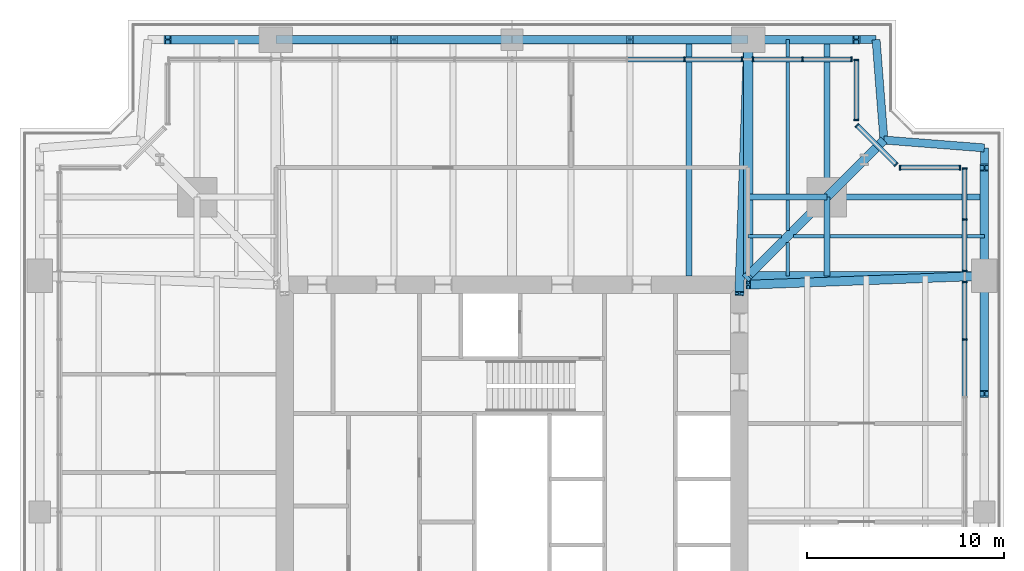
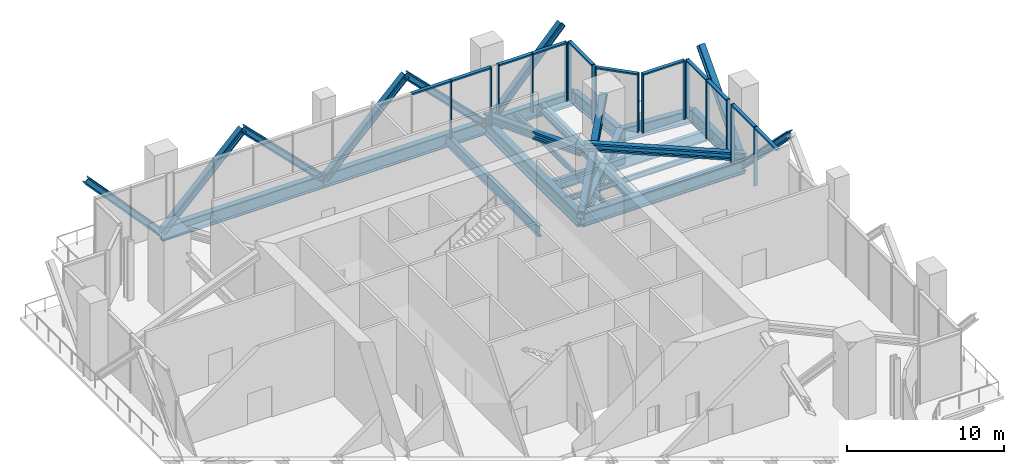
# One storey, part 8 of 14: 38 members, 21 beams, 7 elements without a shape of their own.
"""IFC4 building model written with IfcOpenShell, lengths in metres."""

from ifc_helpers import new_model, si_unit, direction, frame, origin, origin_2d, place, context, subcontext, project, spatial, rectangle, i_section, extrude, material, material_profile, profile_set, type_object, element, aggregate, save


model = new_model("IFC4")

# Units and contexts
model_context = context("Model", 3, precision=1e-05, world=origin(), true_north=direction((0.0, 1.0)))
body_context = subcontext(model_context, "Body", "Model", "MODEL_VIEW")
ifc_project = project(units=[si_unit("LENGTHUNIT", "METRE"), si_unit("AREAUNIT", "SQUARE_METRE"), si_unit("VOLUMEUNIT", "CUBIC_METRE"), si_unit("PLANEANGLEUNIT", "RADIAN"), si_unit("MASSUNIT", "GRAM", prefix="KILO")], contexts=[model_context])

# Site, building, storey
site_placement = place(None, origin())
site = spatial("IfcSite", under=ifc_project, at=site_placement, CompositionType="ELEMENT")
building_placement = place(site_placement, origin())
building = spatial("IfcBuilding", under=site, at=building_placement, Name="Fenwick Lantern Interchange", CompositionType="ELEMENT")
storey_placement = place(building_placement, frame((0.0, 0.0, 233.800048828125)))
storey = spatial("IfcBuildingStorey", under=building, at=storey_placement, Name="L55", CompositionType="ELEMENT", Elevation=233.800048828125)

# Members
ifc_material_1 = material(Name="Steel ASTM A992 Grade 50", Category="steel")
ifc_material_profile_1 = material_profile(ifc_material_1, i_section(OverallWidth=0.431884765625, OverallDepth=0.497802734375, WebThickness=0.0556640625, FlangeThickness=0.0888671875, at=origin_2d()), Name="W14X500")
ifc_profile_set_1 = profile_set([ifc_material_profile_1], Name="Steel ASTM A992 Grade 50")
member_type_1 = type_object("IfcMemberType", Name="BELT TRUSS DIAGONAL W14X500", PredefinedType="BRACE", material=ifc_profile_set_1)
member_1_placement = place(storey_placement, frame((49.0, 37.0, -0.650146484375), z_axis=(0.0, -0.707106781187, 0.707106781187), x_axis=(1.0, 0.0, 0.0)))
element("IfcMember", 1, at=member_1_placement, inside=storey, type_object=member_type_1, Name="L55/BT/E/D5", PredefinedType="BRACE", context=body_context, shape_type="SweptSolid", body=[
    extrude(i_section(OverallWidth=0.431884765625, OverallDepth=0.497802734375, WebThickness=0.0556640625, FlangeThickness=0.0888671875, at=origin_2d()), origin(), (0.0, 0.0, 1.0), 8.4853515625),
])
for number, where, z_axis, x_axis, name in (
    (2, (49.0, 37.0, -0.650146484375), (0.0, 0.675724628517, 0.737154140201), (-1.0, 0.0, 0.0), "L55/BT/E/D6"),
    (3, (37.0, 49.0, -0.650146484375), (0.675724628517, 0.0, 0.737154140201), (0.0, 1.0, 0.0), "L55/BT/N/D1"),
):
    element("IfcMember", number, at=place(storey_placement, frame(where, z_axis=z_axis, x_axis=x_axis)), inside=storey, type_object=member_type_1, Name=name, PredefinedType="BRACE", context=body_context, shape_type="SweptSolid", body=[
        extrude(i_section(OverallWidth=0.431884765625, OverallDepth=0.497802734375, WebThickness=0.0556640625, FlangeThickness=0.0888671875, at=origin_2d()), origin(), (0.0, 0.0, 1.0), 8.139404296875),
    ])
for number, where, z_axis, x_axis, name in (
    (4, (37.0, 49.0, -0.650146484375), (-0.707106781187, 0.0, 0.707106781187), (0.0, -1.0, 0.0), "L55/BT/N/D2"),
    (5, (25.0, 49.0, -0.650146484375), (0.707106781187, 0.0, 0.707106781187), (0.0, 1.0, 0.0), "L55/BT/N/D3"),
    (6, (25.0, 49.0, -0.650146484375), (-0.707106781187, 0.0, 0.707106781187), (0.0, -1.0, 0.0), "L55/BT/N/D4"),
    (7, (13.0, 49.0, -0.650146484375), (0.707106781187, 0.0, 0.707106781187), (0.0, 1.0, 0.0), "L55/BT/N/D5"),
):
    element("IfcMember", number, at=place(storey_placement, frame(where, z_axis=z_axis, x_axis=x_axis)), inside=storey, type_object=member_type_1, Name=name, PredefinedType="BRACE", context=body_context, shape_type="SweptSolid", body=[
        extrude(i_section(OverallWidth=0.431884765625, OverallDepth=0.497802734375, WebThickness=0.0556640625, FlangeThickness=0.0888671875, at=origin_2d()), origin(), (0.0, 0.0, 1.0), 8.4853515625),
    ])
member_2_placement = place(storey_placement, frame((13.0, 49.0, -0.650146484375), z_axis=(-0.675724628517, 0.0, 0.737154140201), x_axis=(0.0, -1.0, 0.0)))
element("IfcMember", 8, at=member_2_placement, inside=storey, type_object=member_type_1, Name="L55/BT/N/D6", PredefinedType="BRACE", context=body_context, shape_type="SweptSolid", body=[
    extrude(i_section(OverallWidth=0.431884765625, OverallDepth=0.497802734375, WebThickness=0.0556640625, FlangeThickness=0.0888671875, at=origin_2d()), origin(), (0.0, 0.0, 1.0), 8.139404296875),
])

# Beams
ifc_material_profile_2 = material_profile(ifc_material_1, i_section(OverallWidth=0.408935546875, OverallDepth=1.04150390625, WebThickness=0.031005859375, FlangeThickness=0.055908203125, at=origin_2d()), Name="W40X397")
ifc_profile_set_2 = profile_set([ifc_material_profile_2], Name="Steel ASTM A992 Grade 50")
beam_type_1 = type_object("IfcBeamType", Name="EDGE BEAM W40X397", PredefinedType="SPANDREL", material=ifc_profile_set_2)
beam_1_placement = place(storey_placement, frame((49.0, 37.0, -0.720703125), z_axis=(0.0, 1.0, 0.0), x_axis=(-1.0, 0.0, 0.0)))
element("IfcBeam", 9, at=beam_1_placement, inside=storey, type_object=beam_type_1, Name="L55/FR/E/EB4", PredefinedType="SPANDREL", context=body_context, shape_type="SweptSolid", body=[
    extrude(i_section(OverallWidth=0.408935546875, OverallDepth=1.04150390625, WebThickness=0.031005859375, FlangeThickness=0.055908203125, at=origin_2d()), origin(), (0.0, 0.0, 1.0), 6.5),
])
for number, where, z_axis, x_axis, name in (
    (10, (49.0, 43.5, -0.720703125), (-0.99693998236, 0.078170784639, 0.0), (-0.078170784639, -0.99693998236, 0.0), "L55/FR/E/EBR1"),
    (11, (43.89990234375, 43.89990234375, -0.720703125), (-0.078170784639, 0.99693998236, 0.0), (-0.99693998236, -0.078170784639, 0.0), "L55/FR/E/EBR2"),
):
    element("IfcBeam", number, at=place(storey_placement, frame(where, z_axis=z_axis, x_axis=x_axis)), inside=storey, type_object=beam_type_1, Name=name, PredefinedType="SPANDREL", context=body_context, shape_type="SweptSolid", body=[
        extrude(i_section(OverallWidth=0.408935546875, OverallDepth=1.04150390625, WebThickness=0.031005859375, FlangeThickness=0.055908203125, at=origin_2d()), origin(), (0.0, 0.0, 1.0), 5.11572265625),
    ])
beam_2_placement = place(storey_placement, frame((43.5, 49.0, -0.720703125), z_axis=(-1.0, 0.0, 0.0), x_axis=(0.0, -1.0, 0.0)))
element("IfcBeam", 12, at=beam_2_placement, inside=storey, type_object=beam_type_1, Name="L55/FR/N/EB1", PredefinedType="SPANDREL", context=body_context, shape_type="SweptSolid", body=[
    extrude(i_section(OverallWidth=0.408935546875, OverallDepth=1.04150390625, WebThickness=0.031005859375, FlangeThickness=0.055908203125, at=origin_2d()), origin(), (0.0, 0.0, 1.0), 6.5),
])
for number, where, z_axis, x_axis, name in (
    (13, (37.0, 49.0, -0.720703125), (-1.0, 0.0, 0.0), (0.0, -1.0, 0.0), "L55/FR/N/EB2"),
    (14, (25.0, 49.0, -0.720703125), (-1.0, 0.0, 0.0), (0.0, -1.0, 0.0), "L55/FR/N/EB3"),
):
    element("IfcBeam", number, at=place(storey_placement, frame(where, z_axis=z_axis, x_axis=x_axis)), inside=storey, type_object=beam_type_1, Name=name, PredefinedType="SPANDREL", context=body_context, shape_type="SweptSolid", body=[
        extrude(i_section(OverallWidth=0.408935546875, OverallDepth=1.04150390625, WebThickness=0.031005859375, FlangeThickness=0.055908203125, at=origin_2d()), origin(), (0.0, 0.0, 1.0), 12.0),
    ])
ifc_material_profile_3 = material_profile(ifc_material_1, i_section(OverallWidth=0.2919921875, OverallDepth=0.845703125, WebThickness=0.015380859375, FlangeThickness=0.0244140625, at=origin_2d()), Name="W33X141")
ifc_profile_set_3 = profile_set([ifc_material_profile_3], Name="Steel ASTM A992 Grade 50")
beam_type_2 = type_object("IfcBeamType", Name="FLOOR BEAM W33X141", PredefinedType="BEAM", material=ifc_profile_set_3)
beam_3_placement = place(storey_placement, frame((34.0, 49.0, -0.623046875), z_axis=(0.0, -1.0, 0.0), x_axis=(1.0, 0.0, 0.0)))
element("IfcBeam", 15, at=beam_3_placement, inside=storey, type_object=beam_type_2, Name="L55/FR/N/R02", PredefinedType="BEAM", context=body_context, shape_type="SweptSolid", body=[
    extrude(i_section(OverallWidth=0.2919921875, OverallDepth=0.845703125, WebThickness=0.015380859375, FlangeThickness=0.0244140625, at=origin_2d()), origin(), (0.0, 0.0, 1.0), 12.0),
])
ifc_material_profile_4 = material_profile(ifc_material_1, i_section(OverallWidth=0.177734375, OverallDepth=0.406494140625, WebThickness=0.0078125, FlangeThickness=0.012939453125, at=origin_2d()), Name="W16X40")
ifc_profile_set_4 = profile_set([ifc_material_profile_4], Name="Steel ASTM A992 Grade 50")
beam_type_3 = type_object("IfcBeamType", Name="INFILL BEAM W16X40", PredefinedType="JOIST", material=ifc_profile_set_4)
beam_4_placement = place(storey_placement, frame((39.0, 49.0, -0.4033203125), z_axis=(0.0, -1.0, 0.0), x_axis=(1.0, 0.0, 0.0)))
element("IfcBeam", 16, at=beam_4_placement, inside=storey, type_object=beam_type_3, Name="L55/FR/N/J1", PredefinedType="JOIST", context=body_context, shape_type="SweptSolid", body=[
    extrude(i_section(OverallWidth=0.177734375, OverallDepth=0.406494140625, WebThickness=0.0078125, FlangeThickness=0.012939453125, at=origin_2d()), origin(), (0.0, 0.0, 1.0), 7.85400390625),
])
beam_5_placement = place(storey_placement, frame((39.0, 40.85400390625, -0.4033203125), z_axis=(0.0, -1.0, 0.0), x_axis=(1.0, 0.0, 0.0)))
element("IfcBeam", 17, at=beam_5_placement, inside=storey, type_object=beam_type_3, Name="L55/FR/N/J2", PredefinedType="JOIST", context=body_context, shape_type="SweptSolid", body=[
    extrude(i_section(OverallWidth=0.177734375, OverallDepth=0.406494140625, WebThickness=0.0078125, FlangeThickness=0.012939453125, at=origin_2d()), origin(), (0.0, 0.0, 1.0), 1.537841796875),
])
beam_6_placement = place(storey_placement, frame((39.0, 38.683837890625, -0.4033203125), z_axis=(0.0, -1.0, 0.0), x_axis=(1.0, 0.0, 0.0)))
element("IfcBeam", 18, at=beam_6_placement, inside=storey, type_object=beam_type_3, Name="L55/FR/N/J6", PredefinedType="JOIST", context=body_context, shape_type="SweptSolid", body=[
    extrude(i_section(OverallWidth=0.177734375, OverallDepth=0.406494140625, WebThickness=0.0078125, FlangeThickness=0.012939453125, at=origin_2d()), origin(), (0.0, 0.0, 1.0), 1.683837890625),
])
beam_7_placement = place(storey_placement, frame((49.0, 39.0, -0.4033203125), z_axis=(-1.0, 0.0, 0.0), x_axis=(0.0, -1.0, 0.0)))
element("IfcBeam", 19, at=beam_7_placement, inside=storey, type_object=beam_type_3, Name="L55/FR/N/J3", PredefinedType="JOIST", context=body_context, shape_type="SweptSolid", body=[
    extrude(i_section(OverallWidth=0.177734375, OverallDepth=0.406494140625, WebThickness=0.0078125, FlangeThickness=0.012939453125, at=origin_2d()), origin(), (0.0, 0.0, 1.0), 7.85400390625),
])
beam_8_placement = place(storey_placement, frame((40.85400390625, 39.0, -0.4033203125), z_axis=(-1.0, 0.0, 0.0), x_axis=(0.0, -1.0, 0.0)))
element("IfcBeam", 20, at=beam_8_placement, inside=storey, type_object=beam_type_3, Name="L55/FR/N/J4", PredefinedType="JOIST", context=body_context, shape_type="SweptSolid", body=[
    extrude(i_section(OverallWidth=0.177734375, OverallDepth=0.406494140625, WebThickness=0.0078125, FlangeThickness=0.012939453125, at=origin_2d()), origin(), (0.0, 0.0, 1.0), 1.537841796875),
])
beam_9_placement = place(storey_placement, frame((38.683837890625, 39.0, -0.4033203125), z_axis=(-1.0, 0.0, 0.0), x_axis=(0.0, -1.0, 0.0)))
element("IfcBeam", 21, at=beam_9_placement, inside=storey, type_object=beam_type_3, Name="L55/FR/N/J5", PredefinedType="JOIST", context=body_context, shape_type="SweptSolid", body=[
    extrude(i_section(OverallWidth=0.177734375, OverallDepth=0.406494140625, WebThickness=0.0078125, FlangeThickness=0.012939453125, at=origin_2d()), origin(), (0.0, 0.0, 1.0), 1.683837890625),
])
ifc_material_profile_5 = material_profile(ifc_material_1, i_section(OverallWidth=0.2919921875, OverallDepth=0.845703125, WebThickness=0.015380859375, FlangeThickness=0.0244140625, at=origin_2d()), Name="W33X141")
ifc_profile_set_5 = profile_set([ifc_material_profile_5], Name="Steel ASTM A992 Grade 50")
beam_type_4 = type_object("IfcBeamType", Name="MEGA COLUMN BEAM W33X141", PredefinedType="BEAM", material=ifc_profile_set_5)
for number, where, z_axis, x_axis, name in (
    (22, (41.0, 41.0, -0.623046875), (0.0, 1.0, 0.0), (-1.0, 0.0, 0.0), "L55/FR/N/MB1"),
    (23, (41.0, 41.0, -0.623046875), (1.0, 0.0, 0.0), (0.0, 1.0, 0.0), "L55/FR/N/MB2"),
):
    element("IfcBeam", number, at=place(storey_placement, frame(where, z_axis=z_axis, x_axis=x_axis)), inside=storey, type_object=beam_type_4, Name=name, PredefinedType="BEAM", context=body_context, shape_type="SweptSolid", body=[
        extrude(i_section(OverallWidth=0.2919921875, OverallDepth=0.845703125, WebThickness=0.015380859375, FlangeThickness=0.0244140625, at=origin_2d()), origin(), (0.0, 0.0, 1.0), 8.0),
    ])
for number, where, z_axis, x_axis, name in (
    (24, (41.0, 41.0, -0.623046875), (-1.0, 0.0, 0.0), (0.0, -1.0, 0.0), "L55/FR/N/MB3"),
    (25, (41.0, 41.0, -0.623046875), (0.0, -1.0, 0.0), (1.0, 0.0, 0.0), "L55/FR/N/MB4"),
):
    element("IfcBeam", number, at=place(storey_placement, frame(where, z_axis=z_axis, x_axis=x_axis)), inside=storey, type_object=beam_type_4, Name=name, PredefinedType="BEAM", context=body_context, shape_type="SweptSolid", body=[
        extrude(i_section(OverallWidth=0.2919921875, OverallDepth=0.845703125, WebThickness=0.015380859375, FlangeThickness=0.0244140625, at=origin_2d()), origin(), (0.0, 0.0, 1.0), 4.0),
    ])
ifc_material_profile_6 = material_profile(ifc_material_1, i_section(OverallWidth=0.447021484375, OverallDepth=1.0439453125, WebThickness=0.050048828125, FlangeThickness=0.08984375, at=origin_2d()), Name="W36X652")
ifc_profile_set_6 = profile_set([ifc_material_profile_6], Name="Steel ASTM A992 Grade 50")
beam_type_5 = type_object("IfcBeamType", Name="MOMENT-CONNECTED GIRDER W36X652", PredefinedType="BEAM", material=ifc_profile_set_6)
beam_10_placement = place(storey_placement, frame((49.0, 37.0, -0.721923828125), z_axis=(-1.0, 0.0, 0.0), x_axis=(0.0, -1.0, 0.0)))
element("IfcBeam", 26, at=beam_10_placement, inside=storey, type_object=beam_type_5, Name="L55/FR/E/R03", PredefinedType="BEAM", context=body_context, shape_type="SweptSolid", body=[
    extrude(i_section(OverallWidth=0.447021484375, OverallDepth=1.0439453125, WebThickness=0.050048828125, FlangeThickness=0.08984375, at=origin_2d()), origin(), (0.0, 0.0, 1.0), 12.0),
])
ifc_material_profile_7 = material_profile(ifc_material_1, i_section(OverallWidth=0.472412109375, OverallDepth=1.0947265625, WebThickness=0.07666015625, FlangeThickness=0.114990234375, at=origin_2d()), Name="W36X925")
ifc_profile_set_7 = profile_set([ifc_material_profile_7], Name="Steel ASTM A992 Grade 50")
beam_type_6 = type_object("IfcBeamType", Name="MOMENT-CONNECTED GIRDER W36X925", PredefinedType="BEAM", material=ifc_profile_set_7)
beam_11_placement = place(storey_placement, frame((37.0, 49.0, -0.747314453125), z_axis=(0.0, -1.0, 0.0), x_axis=(1.0, 0.0, 0.0)))
element("IfcBeam", 27, at=beam_11_placement, inside=storey, type_object=beam_type_6, Name="L55/FR/N/R01", PredefinedType="BEAM", context=body_context, shape_type="SweptSolid", body=[
    extrude(i_section(OverallWidth=0.472412109375, OverallDepth=1.0947265625, WebThickness=0.07666015625, FlangeThickness=0.114990234375, at=origin_2d()), origin(), (0.0, 0.0, 1.0), 12.0),
])
ifc_material_profile_8 = material_profile(ifc_material_1, i_section(OverallWidth=0.447021484375, OverallDepth=1.0439453125, WebThickness=0.050048828125, FlangeThickness=0.08984375, at=origin_2d()), Name="W36X652")
ifc_profile_set_8 = profile_set([ifc_material_profile_8], Name="Steel ASTM A992 Grade 50")
beam_type_7 = type_object("IfcBeamType", Name="NOTCH BEAM W36X652", PredefinedType="BEAM", material=ifc_profile_set_8)
beam_12_placement = place(storey_placement, frame((41.0, 41.0, -0.721923828125), z_axis=(0.707106781187, 0.707106781187, 0.0), x_axis=(-0.707106781187, 0.707106781187, 0.0)))
element("IfcBeam", 28, at=beam_12_placement, inside=storey, type_object=beam_type_7, Name="L55/FR/N/TG", PredefinedType="BEAM", context=body_context, shape_type="SweptSolid", body=[
    extrude(i_section(OverallWidth=0.447021484375, OverallDepth=1.0439453125, WebThickness=0.050048828125, FlangeThickness=0.08984375, at=origin_2d()), origin(), (0.0, 0.0, 1.0), 4.10107421875),
])
ifc_material_profile_9 = material_profile(ifc_material_1, i_section(OverallWidth=0.447021484375, OverallDepth=1.0439453125, WebThickness=0.050048828125, FlangeThickness=0.08984375, at=origin_2d()), Name="W36X652")
ifc_profile_set_9 = profile_set([ifc_material_profile_9], Name="Steel ASTM A992 Grade 50")
beam_type_8 = type_object("IfcBeamType", Name="OUTRIGGER CHORD W36X652", PredefinedType="BEAM", material=ifc_profile_set_9)
beam_13_placement = place(storey_placement, frame((37.0, 37.0, -0.721923828125), z_axis=(0.707106781187, 0.707106781187, 0.0), x_axis=(-0.707106781187, 0.707106781187, 0.0)))
element("IfcBeam", 29, at=beam_13_placement, inside=storey, type_object=beam_type_8, Name="L55/OR/N/BC", PredefinedType="BEAM", context=body_context, shape_type="SweptSolid", body=[
    extrude(i_section(OverallWidth=0.447021484375, OverallDepth=1.0439453125, WebThickness=0.050048828125, FlangeThickness=0.08984375, at=origin_2d()), origin(), (0.0, 0.0, 1.0), 5.65673828125),
])

# Members
ifc_material_profile_10 = material_profile(ifc_material_1, i_section(OverallWidth=0.45458984375, OverallDepth=0.56884765625, WebThickness=0.077880859375, FlangeThickness=0.124755859375, at=origin_2d()), Name="W14X730")
ifc_profile_set_10 = profile_set([ifc_material_profile_10], Name="Steel ASTM A992 Grade 50")
member_type_2 = type_object("IfcMemberType", Name="OUTRIGGER DIAGONAL W14X730", PredefinedType="BRACE", material=ifc_profile_set_10)
member_3_placement = place(storey_placement, frame((49.0, 37.0, 0.0), z_axis=(-0.914830425653, -0.034302418507, 0.402378722579), x_axis=(0.037469600146, -0.999297767968, 0.0)))
element("IfcMember", 30, at=member_3_placement, inside=storey, type_object=member_type_2, Name="L55/OR/E/W2", PredefinedType="BRACE", context=body_context, shape_type="SweptSolid", body=[
    extrude(i_section(OverallWidth=0.45458984375, OverallDepth=0.56884765625, WebThickness=0.077880859375, FlangeThickness=0.124755859375, at=origin_2d()), origin(), (0.0, 0.0, 1.0), 13.1171875),
])
member_4_placement = place(storey_placement, frame((37.0, 37.0, -0.721923828125), z_axis=(0.485071250073, 0.485071250073, 0.727606875109), x_axis=(-0.707106781187, 0.707106781187, 0.0)))
element("IfcMember", 31, at=member_4_placement, inside=storey, type_object=member_type_2, Name="L55/OR/N/D", PredefinedType="BRACE", context=body_context, shape_type="SweptSolid", body=[
    extrude(i_section(OverallWidth=0.45458984375, OverallDepth=0.56884765625, WebThickness=0.077880859375, FlangeThickness=0.124755859375, at=origin_2d()), origin(), (0.0, 0.0, 1.0), 8.24609375),
])
member_5_placement = place(storey_placement, frame((37.0, 49.0, 0.0), z_axis=(-0.032287919116, -0.925680450498, 0.376925979266), x_axis=(0.999392240336, -0.034859001078, 0.0)))
element("IfcMember", 32, at=member_5_placement, inside=storey, type_object=member_type_2, Name="L55/OR/N/W1", PredefinedType="BRACE", context=body_context, shape_type="SweptSolid", body=[
    extrude(i_section(OverallWidth=0.45458984375, OverallDepth=0.56884765625, WebThickness=0.077880859375, FlangeThickness=0.124755859375, at=origin_2d()), origin(), (0.0, 0.0, 1.0), 13.935546875),
])

# Curtain wall, members
ifc_material_2 = material(Name="Aluminium curtain wall frame", Category="aluminium")
curtain_wall_type = type_object("IfcCurtainWallType", Name="PLANT LOUVRE SCREEN", PredefinedType="USERDEFINED", material=ifc_material_2)
curtain_wall_1_placement = place(storey_placement, origin())
curtain_wall_1 = element("IfcCurtainWall", 33, at=curtain_wall_1_placement, inside=storey, type_object=curtain_wall_type, Name="Plant louvre screen 04B", ObjectType="PLANT LOUVRE SCREEN", PredefinedType="USERDEFINED")
ifc_material_3 = material(Name="Aluminium extrusion", Category="aluminium")
ifc_material_profile_11 = material_profile(ifc_material_3, rectangle(XDim=0.25, YDim=0.074951171875, at=origin_2d()), Name="PLANT LOUVRE SCREEN MULLION 75 X 250")
ifc_profile_set_11 = profile_set([ifc_material_profile_11], Name="Aluminium extrusion")
member_type_3 = type_object("IfcMemberType", Name="PLANT LOUVRE SCREEN MULLION 75 X 250", PredefinedType="MULLION", material=ifc_profile_set_11)
member_6_placement = place(storey_placement, frame((48.0, 33.76220703125, 0.0), z_axis=(0.0, 0.0, 1.0), x_axis=(-1.0, 0.0, 0.0)))
member_6 = element("IfcMember", 34, at=member_6_placement, type_object=member_type_3, Name="L55/CW/04B/M07", PredefinedType="MULLION", context=body_context, shape_type="SweptSolid", body=[
    extrude(rectangle(XDim=0.25, YDim=0.074951171875, at=origin_2d()), origin(), (0.0, 0.0, 1.0), 4.599853515625),
])
member_7_placement = place(storey_placement, frame((48.0, 36.682861328125, 0.0), z_axis=(0.0, 0.0, 1.0), x_axis=(-1.0, 0.0, 0.0)))
member_7 = element("IfcMember", 35, at=member_7_placement, type_object=member_type_3, Name="L55/CW/04B/M08", PredefinedType="MULLION", context=body_context, shape_type="SweptSolid", body=[
    extrude(rectangle(XDim=0.25, YDim=0.074951171875, at=origin_2d()), origin(), (0.0, 0.0, 1.0), 4.599853515625),
])

curtain_wall_2_placement = place(storey_placement, origin())
curtain_wall_2 = element("IfcCurtainWall", 36, at=curtain_wall_2_placement, inside=storey, type_object=curtain_wall_type, Name="Plant louvre screen 04C", ObjectType="PLANT LOUVRE SCREEN", PredefinedType="USERDEFINED")
member_8_placement = place(storey_placement, frame((48.0, 37.2421875, 0.0), z_axis=(0.0, 0.0, 1.0), x_axis=(-1.0, 0.0, 0.0)))
member_8 = element("IfcMember", 37, at=member_8_placement, type_object=member_type_3, Name="L55/CW/04C/M00", PredefinedType="MULLION", context=body_context, shape_type="SweptSolid", body=[
    extrude(rectangle(XDim=0.25, YDim=0.074951171875, at=origin_2d()), origin(), (0.0, 0.0, 1.0), 4.599853515625),
])
member_9_placement = place(storey_placement, frame((48.0, 39.852294921875, 0.0), z_axis=(0.0, 0.0, 1.0), x_axis=(-1.0, 0.0, 0.0)))
member_9 = element("IfcMember", 38, at=member_9_placement, type_object=member_type_3, Name="L55/CW/04C/M01", PredefinedType="MULLION", context=body_context, shape_type="SweptSolid", body=[
    extrude(rectangle(XDim=0.25, YDim=0.074951171875, at=origin_2d()), origin(), (0.0, 0.0, 1.0), 4.599853515625),
])
member_10_placement = place(storey_placement, frame((48.0, 42.46240234375, 0.0), z_axis=(0.0, 0.0, 1.0), x_axis=(-1.0, 0.0, 0.0)))
member_10 = element("IfcMember", 39, at=member_10_placement, type_object=member_type_3, Name="L55/CW/04C/M02", PredefinedType="MULLION", context=body_context, shape_type="SweptSolid", body=[
    extrude(rectangle(XDim=0.25, YDim=0.074951171875, at=origin_2d()), origin(), (0.0, 0.0, 1.0), 4.599853515625),
])

curtain_wall_3_placement = place(storey_placement, origin())
curtain_wall_3 = element("IfcCurtainWall", 40, at=curtain_wall_3_placement, inside=storey, type_object=curtain_wall_type, Name="Plant louvre screen 05", ObjectType="PLANT LOUVRE SCREEN", PredefinedType="USERDEFINED")
member_11_placement = place(storey_placement, frame((47.762451171875, 42.5, 0.0), z_axis=(0.0, 0.0, 1.0), x_axis=(0.0, -1.0, 0.0)))
member_11 = element("IfcMember", 41, at=member_11_placement, type_object=member_type_3, Name="L55/CW/05/M00", PredefinedType="MULLION", context=body_context, shape_type="SweptSolid", body=[
    extrude(rectangle(XDim=0.25, YDim=0.074951171875, at=origin_2d()), origin(), (0.0, 0.0, 1.0), 4.599853515625),
])
member_12_placement = place(storey_placement, frame((44.708984375, 42.5, 0.0), z_axis=(0.0, 0.0, 1.0), x_axis=(0.0, -1.0, 0.0)))
member_12 = element("IfcMember", 42, at=member_12_placement, type_object=member_type_3, Name="L55/CW/05/M01", PredefinedType="MULLION", context=body_context, shape_type="SweptSolid", body=[
    extrude(rectangle(XDim=0.25, YDim=0.074951171875, at=origin_2d()), origin(), (0.0, 0.0, 1.0), 4.599853515625),
])

curtain_wall_4_placement = place(storey_placement, origin())
curtain_wall_4 = element("IfcCurtainWall", 43, at=curtain_wall_4_placement, inside=storey, type_object=curtain_wall_type, Name="Plant louvre screen 06", ObjectType="PLANT LOUVRE SCREEN", PredefinedType="USERDEFINED")
member_13_placement = place(storey_placement, frame((44.503662109375, 42.66796875, 0.0), z_axis=(0.0, 0.0, 1.0), x_axis=(-0.707106781187, -0.707106781187, 0.0)))
member_13 = element("IfcMember", 44, at=member_13_placement, type_object=member_type_3, Name="L55/CW/06/M00", PredefinedType="MULLION", context=body_context, shape_type="SweptSolid", body=[
    extrude(rectangle(XDim=0.25, YDim=0.074951171875, at=origin_2d()), origin(), (0.0, 0.0, 1.0), 4.599853515625),
])
member_14_placement = place(storey_placement, frame((42.526611328125, 44.64501953125, 0.0), z_axis=(0.0, 0.0, 1.0), x_axis=(-0.707106781187, -0.707106781187, 0.0)))
member_14 = element("IfcMember", 45, at=member_14_placement, type_object=member_type_3, Name="L55/CW/06/M01", PredefinedType="MULLION", context=body_context, shape_type="SweptSolid", body=[
    extrude(rectangle(XDim=0.25, YDim=0.074951171875, at=origin_2d()), origin(), (0.0, 0.0, 1.0), 4.599853515625),
])

curtain_wall_5_placement = place(storey_placement, origin())
curtain_wall_5 = element("IfcCurtainWall", 46, at=curtain_wall_5_placement, inside=storey, type_object=curtain_wall_type, Name="Plant louvre screen 07", ObjectType="PLANT LOUVRE SCREEN", PredefinedType="USERDEFINED")
member_15_placement = place(storey_placement, frame((42.5, 44.9091796875, 0.0), z_axis=(0.0, 0.0, 1.0), x_axis=(-1.0, 0.0, 0.0)))
member_15 = element("IfcMember", 47, at=member_15_placement, type_object=member_type_3, Name="L55/CW/07/M00", PredefinedType="MULLION", context=body_context, shape_type="SweptSolid", body=[
    extrude(rectangle(XDim=0.25, YDim=0.074951171875, at=origin_2d()), origin(), (0.0, 0.0, 1.0), 4.599853515625),
])
member_16_placement = place(storey_placement, frame((42.5, 47.96240234375, 0.0), z_axis=(0.0, 0.0, 1.0), x_axis=(-1.0, 0.0, 0.0)))
member_16 = element("IfcMember", 48, at=member_16_placement, type_object=member_type_3, Name="L55/CW/07/M01", PredefinedType="MULLION", context=body_context, shape_type="SweptSolid", body=[
    extrude(rectangle(XDim=0.25, YDim=0.074951171875, at=origin_2d()), origin(), (0.0, 0.0, 1.0), 4.599853515625),
])

curtain_wall_6_placement = place(storey_placement, origin())
curtain_wall_6 = element("IfcCurtainWall", 49, at=curtain_wall_6_placement, inside=storey, type_object=curtain_wall_type, Name="Plant louvre screen 08A", ObjectType="PLANT LOUVRE SCREEN", PredefinedType="USERDEFINED")
member_17_placement = place(storey_placement, frame((42.262451171875, 48.0, 0.0), z_axis=(0.0, 0.0, 1.0), x_axis=(0.0, -1.0, 0.0)))
member_17 = element("IfcMember", 50, at=member_17_placement, type_object=member_type_3, Name="L55/CW/08A/M00", PredefinedType="MULLION", context=body_context, shape_type="SweptSolid", body=[
    extrude(rectangle(XDim=0.25, YDim=0.074951171875, at=origin_2d()), origin(), (0.0, 0.0, 1.0), 4.599853515625),
])
member_18_placement = place(storey_placement, frame((39.75341796875, 48.0, 0.0), z_axis=(0.0, 0.0, 1.0), x_axis=(0.0, -1.0, 0.0)))
member_18 = element("IfcMember", 51, at=member_18_placement, type_object=member_type_3, Name="L55/CW/08A/M01", PredefinedType="MULLION", context=body_context, shape_type="SweptSolid", body=[
    extrude(rectangle(XDim=0.25, YDim=0.074951171875, at=origin_2d()), origin(), (0.0, 0.0, 1.0), 4.599853515625),
])
member_19_placement = place(storey_placement, frame((37.244384765625, 48.0, 0.0), z_axis=(0.0, 0.0, 1.0), x_axis=(0.0, -1.0, 0.0)))
member_19 = element("IfcMember", 52, at=member_19_placement, type_object=member_type_3, Name="L55/CW/08A/M02", PredefinedType="MULLION", context=body_context, shape_type="SweptSolid", body=[
    extrude(rectangle(XDim=0.25, YDim=0.074951171875, at=origin_2d()), origin(), (0.0, 0.0, 1.0), 4.599853515625),
])

curtain_wall_7_placement = place(storey_placement, origin())
curtain_wall_7 = element("IfcCurtainWall", 53, at=curtain_wall_7_placement, inside=storey, type_object=curtain_wall_type, Name="Plant louvre screen 08B", ObjectType="PLANT LOUVRE SCREEN", PredefinedType="USERDEFINED")
member_20_placement = place(storey_placement, frame((36.685791015625, 48.0, 0.0), z_axis=(0.0, 0.0, 1.0), x_axis=(0.0, -1.0, 0.0)))
member_20 = element("IfcMember", 54, at=member_20_placement, type_object=member_type_3, Name="L55/CW/08B/M00", PredefinedType="MULLION", context=body_context, shape_type="SweptSolid", body=[
    extrude(rectangle(XDim=0.25, YDim=0.074951171875, at=origin_2d()), origin(), (0.0, 0.0, 1.0), 4.599853515625),
])
member_21_placement = place(storey_placement, frame((33.764404296875, 48.0, 0.0), z_axis=(0.0, 0.0, 1.0), x_axis=(0.0, -1.0, 0.0)))
member_21 = element("IfcMember", 55, at=member_21_placement, type_object=member_type_3, Name="L55/CW/08B/M01", PredefinedType="MULLION", context=body_context, shape_type="SweptSolid", body=[
    extrude(rectangle(XDim=0.25, YDim=0.074951171875, at=origin_2d()), origin(), (0.0, 0.0, 1.0), 4.599853515625),
])

# Member
ifc_material_profile_12 = material_profile(ifc_material_3, rectangle(XDim=0.25, YDim=0.1201171875, at=origin_2d()), Name="PLANT LOUVRE SCREEN TRANSOM 120 X 250")
ifc_profile_set_12 = profile_set([ifc_material_profile_12], Name="Aluminium extrusion")
member_type_4 = type_object("IfcMemberType", Name="PLANT LOUVRE SCREEN TRANSOM 120 X 250", PredefinedType="MULLION", material=ifc_profile_set_12)
member_22_placement = place(storey_placement, frame((48.0, 30.87890625, 4.5400390625), z_axis=(0.0, 1.0, 0.0), x_axis=(-1.0, 0.0, 0.0)))
member_22 = element("IfcMember", 56, at=member_22_placement, type_object=member_type_4, Name="L55/CW/04B/T06", PredefinedType="MULLION", context=body_context, shape_type="SweptSolid", body=[
    extrude(rectangle(XDim=0.25, YDim=0.1201171875, at=origin_2d()), origin(), (0.0, 0.0, 1.0), 2.845703125),
])

member_23_placement = place(storey_placement, frame((48.0, 33.799560546875, 4.5400390625), z_axis=(0.0, 1.0, 0.0), x_axis=(-1.0, 0.0, 0.0)))
member_23 = element("IfcMember", 57, at=member_23_placement, type_object=member_type_4, Name="L55/CW/04B/T07", PredefinedType="MULLION", context=body_context, shape_type="SweptSolid", body=[
    extrude(rectangle(XDim=0.25, YDim=0.1201171875, at=origin_2d()), origin(), (0.0, 0.0, 1.0), 2.845703125),
])

aggregate(curtain_wall_1, [member_6, member_7, member_22, member_23])

member_24_placement = place(storey_placement, frame((48.0, 37.27978515625, 4.5400390625), z_axis=(0.0, 1.0, 0.0), x_axis=(-1.0, 0.0, 0.0)))
member_24 = element("IfcMember", 58, at=member_24_placement, type_object=member_type_4, Name="L55/CW/04C/T00", PredefinedType="MULLION", context=body_context, shape_type="SweptSolid", body=[
    extrude(rectangle(XDim=0.25, YDim=0.1201171875, at=origin_2d()), origin(), (0.0, 0.0, 1.0), 2.53515625),
])

member_25_placement = place(storey_placement, frame((48.0, 39.889892578125, 4.5400390625), z_axis=(0.0, 1.0, 0.0), x_axis=(-1.0, 0.0, 0.0)))
member_25 = element("IfcMember", 59, at=member_25_placement, type_object=member_type_4, Name="L55/CW/04C/T01", PredefinedType="MULLION", context=body_context, shape_type="SweptSolid", body=[
    extrude(rectangle(XDim=0.25, YDim=0.1201171875, at=origin_2d()), origin(), (0.0, 0.0, 1.0), 2.53515625),
])

aggregate(curtain_wall_2, [member_8, member_9, member_10, member_24, member_25])

member_26_placement = place(storey_placement, frame((47.72509765625, 42.5, 4.5400390625), z_axis=(-1.0, 0.0, 0.0), x_axis=(0.0, -1.0, 0.0)))
member_26 = element("IfcMember", 60, at=member_26_placement, type_object=member_type_4, Name="L55/CW/05/T00", PredefinedType="MULLION", context=body_context, shape_type="SweptSolid", body=[
    extrude(rectangle(XDim=0.25, YDim=0.1201171875, at=origin_2d()), origin(), (0.0, 0.0, 1.0), 2.978515625),
])

aggregate(curtain_wall_3, [member_11, member_12, member_26])

member_27_placement = place(storey_placement, frame((44.47705078125, 42.6943359375, 4.5400390625), z_axis=(-0.707061921121, 0.707151638406, 0.0), x_axis=(-0.707151638406, -0.707061921121, 0.0)))
member_27 = element("IfcMember", 61, at=member_27_placement, type_object=member_type_4, Name="L55/CW/06/T00", PredefinedType="MULLION", context=body_context, shape_type="SweptSolid", body=[
    extrude(rectangle(XDim=0.25, YDim=0.1201171875, at=origin_2d()), origin(), (0.0, 0.0, 1.0), 2.72119140625),
])

aggregate(curtain_wall_4, [member_13, member_14, member_27])

member_28_placement = place(storey_placement, frame((42.5, 44.946533203125, 4.5400390625), z_axis=(0.0, 1.0, 0.0), x_axis=(-1.0, 0.0, 0.0)))
member_28 = element("IfcMember", 62, at=member_28_placement, type_object=member_type_4, Name="L55/CW/07/T00", PredefinedType="MULLION", context=body_context, shape_type="SweptSolid", body=[
    extrude(rectangle(XDim=0.25, YDim=0.1201171875, at=origin_2d()), origin(), (0.0, 0.0, 1.0), 2.978515625),
])

aggregate(curtain_wall_5, [member_15, member_16, member_28])

member_29_placement = place(storey_placement, frame((42.22509765625, 48.0, 4.5400390625), z_axis=(-1.0, 0.0, 0.0), x_axis=(0.0, -1.0, 0.0)))
member_29 = element("IfcMember", 63, at=member_29_placement, type_object=member_type_4, Name="L55/CW/08A/T00", PredefinedType="MULLION", context=body_context, shape_type="SweptSolid", body=[
    extrude(rectangle(XDim=0.25, YDim=0.1201171875, at=origin_2d()), origin(), (0.0, 0.0, 1.0), 2.43408203125),
])

member_30_placement = place(storey_placement, frame((39.716064453125, 48.0, 4.5400390625), z_axis=(-1.0, 0.0, 0.0), x_axis=(0.0, -1.0, 0.0)))
member_30 = element("IfcMember", 64, at=member_30_placement, type_object=member_type_4, Name="L55/CW/08A/T01", PredefinedType="MULLION", context=body_context, shape_type="SweptSolid", body=[
    extrude(rectangle(XDim=0.25, YDim=0.1201171875, at=origin_2d()), origin(), (0.0, 0.0, 1.0), 2.43408203125),
])

aggregate(curtain_wall_6, [member_17, member_18, member_19, member_29, member_30])

member_31_placement = place(storey_placement, frame((36.648193359375, 48.0, 4.5400390625), z_axis=(-1.0, 0.0, 0.0), x_axis=(0.0, -1.0, 0.0)))
member_31 = element("IfcMember", 65, at=member_31_placement, type_object=member_type_4, Name="L55/CW/08B/T00", PredefinedType="MULLION", context=body_context, shape_type="SweptSolid", body=[
    extrude(rectangle(XDim=0.25, YDim=0.1201171875, at=origin_2d()), origin(), (0.0, 0.0, 1.0), 2.846435546875),
])

member_32_placement = place(storey_placement, frame((33.726806640625, 48.0, 4.5400390625), z_axis=(-1.0, 0.0, 0.0), x_axis=(0.0, -1.0, 0.0)))
member_32 = element("IfcMember", 66, at=member_32_placement, type_object=member_type_4, Name="L55/CW/08B/T01", PredefinedType="MULLION", context=body_context, shape_type="SweptSolid", body=[
    extrude(rectangle(XDim=0.25, YDim=0.1201171875, at=origin_2d()), origin(), (0.0, 0.0, 1.0), 2.846435546875),
])

aggregate(curtain_wall_7, [member_20, member_21, member_31, member_32])

save(model, "model.ifc")
